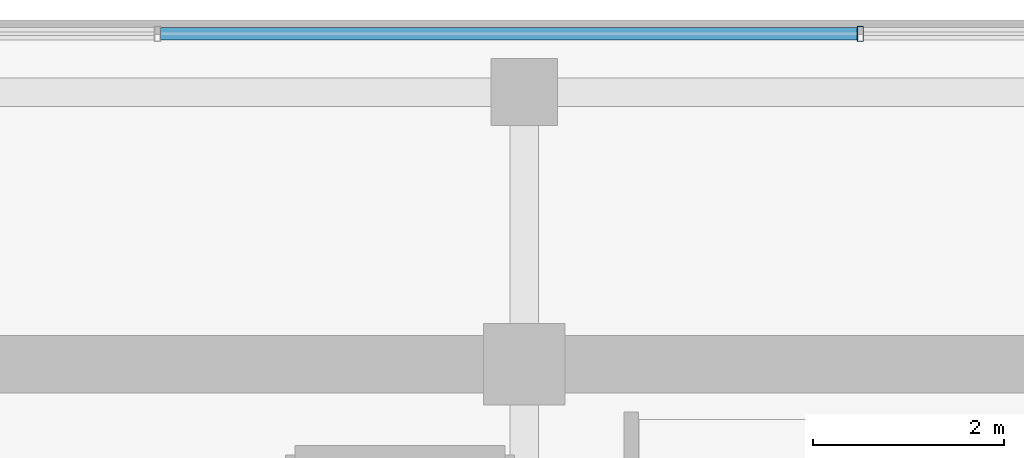
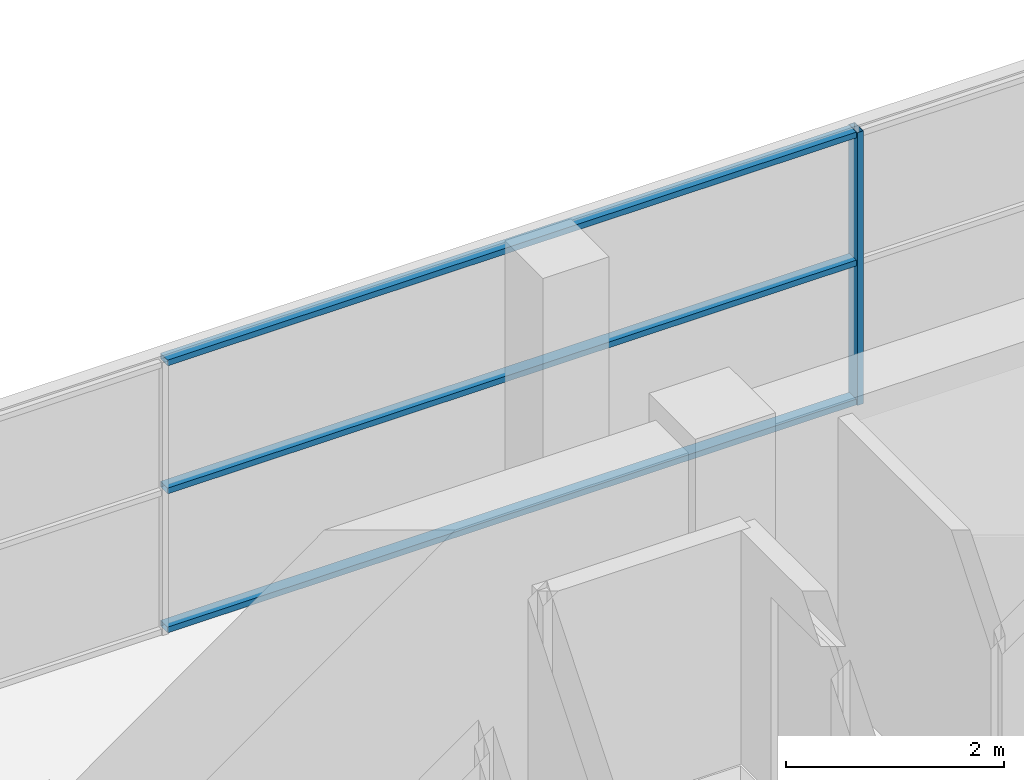
# One storey, part 18 of 29: 4 members, 1 element without a shape of its own.
"""IFC4 building model written with IfcOpenShell, lengths in metres."""

import ifcopenshell
import ifcopenshell.guid

model = None  # the IFC model being written
_history = None  # IfcOwnerHistory: only IFC2X3 demands one
_inside = {}  # id of a spatial element -> (the spatial element, [elements in it])
_under = {}  # id of a project, library or spatial element -> (it, [spatial elements below it])
_declared = {}  # id of a project -> (the project, [libraries it declares])
_typed = {}  # id of a type object -> (the type object, [elements of that type])
_made_of = {}  # id of a material, layer set ... -> (it, [elements and type objects made of it])


def new_model(schema):
    """Start an empty IFC model of exactly this schema.

    Asked for "IFC4X3", IfcOpenShell would pick the latest addendum, in which some entities
    have other attributes; the version numbers below select the first issue.
    IFC2X3 requires an IfcOwnerHistory on every rooted entity: one is made here for all.
    """
    global model, _history
    if schema == "IFC4X3":
        model = ifcopenshell.file(schema_version=(4, 3, 0, 0))
    else:
        model = ifcopenshell.file(schema=schema)
    _inside.clear()
    _under.clear()
    _declared.clear()
    _typed.clear()
    _made_of.clear()
    _history = None
    if model.schema == "IFC2X3":
        org = make("IfcOrganization", Name="unknown")
        user = make(
            "IfcPersonAndOrganization",
            ThePerson=make("IfcPerson", FamilyName="unknown"),
            TheOrganization=org,
        )
        app = make(
            "IfcApplication",
            ApplicationDeveloper=org,
            Version="unknown",
            ApplicationFullName="unknown",
            ApplicationIdentifier="unknown",
        )
        _history = make(
            "IfcOwnerHistory",
            OwningUser=user,
            OwningApplication=app,
            ChangeAction="ADDED",
            CreationDate=0,
        )
    return model


def make(cls, **values):
    """One entity of the class cls with the attributes given. An attribute that is None is left unset."""
    return model.create_entity(
        cls, **{name: value for name, value in values.items() if value is not None}
    )


def rooted(cls, **values):
    """An entity with a GlobalId (a new one), such as an element, a storey or a relation."""
    return make(cls, GlobalId=ifcopenshell.guid.new(), OwnerHistory=_history, **values)


def si_unit(unit_type, name, prefix=None):
    """IfcSIUnit, for example si_unit("LENGTHUNIT", "METRE", prefix="MILLI")."""
    return make("IfcSIUnit", UnitType=unit_type, Prefix=prefix, Name=name)


def assignment(units):
    """IfcUnitAssignment: the units of a project."""
    return None if units is None else make("IfcUnitAssignment", Units=units)


def point(xyz):
    """IfcCartesianPoint."""
    return None if xyz is None else make("IfcCartesianPoint", Coordinates=xyz)


def direction(xyz):
    """IfcDirection."""
    return None if xyz is None else make("IfcDirection", DirectionRatios=xyz)


def frame(location, z_axis=None, x_axis=None):
    """IfcAxis2Placement3D, a coordinate frame: its origin and axes. An axis left out is left unset."""
    return make(
        "IfcAxis2Placement3D",
        Location=point(location),
        Axis=direction(z_axis),
        RefDirection=direction(x_axis),
    )


def frame_2d(location, x_axis=None):
    """IfcAxis2Placement2D, a coordinate frame in the plane: its origin and x axis."""
    return make(
        "IfcAxis2Placement2D", Location=point(location), RefDirection=direction(x_axis)
    )


def origin():
    """The frame at (0, 0, 0) with its axes left unset."""
    return frame((0.0, 0.0, 0.0))


def origin_2d():
    """The frame at (0, 0) in the plane with its x axis left unset."""
    return frame_2d((0.0, 0.0))


def place(relative_to, where):
    """IfcLocalPlacement: puts the frame where relative to a parent placement (None: the world)."""
    return make(
        "IfcLocalPlacement", PlacementRelTo=relative_to, RelativePlacement=where
    )


def context(
    kind, dimensions, precision=None, world=None, true_north=None, identifier=None
):
    """IfcGeometricRepresentationContext, for example the 3D "Model" context."""
    return make(
        "IfcGeometricRepresentationContext",
        ContextIdentifier=identifier,
        ContextType=kind,
        CoordinateSpaceDimension=dimensions,
        Precision=precision,
        WorldCoordinateSystem=world,
        TrueNorth=true_north,
    )


def subcontext(parent, identifier, kind, view, scale=None):
    """IfcGeometricRepresentationSubContext, for example "Body" below "Model"."""
    return make(
        "IfcGeometricRepresentationSubContext",
        ContextIdentifier=identifier,
        ContextType=kind,
        ParentContext=parent,
        TargetScale=scale,
        TargetView=view,
    )


def project(units=None, contexts=None):
    """IfcProject with its units and contexts."""
    return rooted(
        "IfcProject",
        Name="project",
        RepresentationContexts=contexts,
        UnitsInContext=assignment(units),
    )


def spatial(cls, under=None, at=None, **own):
    """A site, building, storey or space (cls), placed at a placement, below another one or the project."""
    s = rooted(cls, ObjectPlacement=at, **own)
    if under is not None:
        _under.setdefault(under.id(), (under, []))[1].append(s)
    return s


def profile(cls, at=None, kind="AREA", **sizes):
    """A parametric profile (cls). Its sizes go by their IFC names, for example OverallWidth=200.0."""
    return make(cls, ProfileType=kind, Position=at, **sizes)


def hollow_rectangle(**sizes):
    """IfcRectangleHollowProfileDef."""
    return profile("IfcRectangleHollowProfileDef", **sizes)


def extrude(swept, where, along, depth):
    """IfcExtrudedAreaSolid: the profile swept, set in the frame where, extruded along a direction by depth."""
    return make(
        "IfcExtrudedAreaSolid",
        SweptArea=swept,
        Position=where,
        ExtrudedDirection=direction(along),
        Depth=depth,
    )


def shape(context_of_items, identifier, shape_type, items):
    """IfcShapeRepresentation: the items that make up one representation, for example the "Body"."""
    return make(
        "IfcShapeRepresentation",
        ContextOfItems=context_of_items,
        RepresentationIdentifier=identifier,
        RepresentationType=shape_type,
        Items=items,
    )


def source(mapping_origin, context_of_items, identifier, shape_type, items):
    """IfcRepresentationMap: a shape defined once, which mapped items show again and again."""
    return make(
        "IfcRepresentationMap",
        MappingOrigin=mapping_origin,
        MappedRepresentation=shape(context_of_items, identifier, shape_type, items),
    )


def transform(
    local_origin,
    x_axis=None,
    y_axis=None,
    z_axis=None,
    scale=None,
    scale2=None,
    scale3=None,
    uniform=True,
):
    """IfcCartesianTransformationOperator3D, or its non-uniform kind. x_axis, y_axis, z_axis: its Axis1, 2, 3."""
    if uniform:
        return make(
            "IfcCartesianTransformationOperator3D",
            Axis1=direction(x_axis),
            Axis2=direction(y_axis),
            LocalOrigin=point(local_origin),
            Scale=scale,
            Axis3=direction(z_axis),
        )
    return make(
        "IfcCartesianTransformationOperator3DnonUniform",
        Axis1=direction(x_axis),
        Axis2=direction(y_axis),
        LocalOrigin=point(local_origin),
        Scale=scale,
        Axis3=direction(z_axis),
        Scale2=scale2,
        Scale3=scale3,
    )


def mapped(mapping_source, mapping_target):
    """IfcMappedItem: shows the shape of a source again, moved by a transform."""
    return make(
        "IfcMappedItem", MappingSource=mapping_source, MappingTarget=mapping_target
    )


def material(Name=None, Category=None):
    """IfcMaterial."""
    return make("IfcMaterial", Name=Name, Category=Category)


def layer(
    of_material, thickness, ventilated=None, Name=None, Category=None, Priority=None
):
    """IfcMaterialLayer: one layer of a wall or slab, of a material (None: an air gap)."""
    return make(
        "IfcMaterialLayer",
        Material=of_material,
        LayerThickness=thickness,
        IsVentilated=ventilated,
        Name=Name,
        Category=Category,
        Priority=Priority,
    )


def layer_set(layers, Name=None):
    """IfcMaterialLayerSet."""
    return make("IfcMaterialLayerSet", MaterialLayers=layers, LayerSetName=Name)


def material_profile(
    of_material, cross_section, Name=None, Category=None, Priority=None
):
    """IfcMaterialProfile: a cross section and its material."""
    return make(
        "IfcMaterialProfile",
        Name=Name,
        Material=of_material,
        Profile=cross_section,
        Priority=Priority,
        Category=Category,
    )


def profile_set(profiles, Name=None, composite=None):
    """IfcMaterialProfileSet."""
    return make(
        "IfcMaterialProfileSet",
        Name=Name,
        MaterialProfiles=profiles,
        CompositeProfile=composite,
    )


def made_of(thing, what):
    """Note that an element or type object is made of a material, layer set ...; save() writes the relation."""
    if what is not None:
        _made_of.setdefault(what.id(), (what, []))[1].append(thing)
    return thing


def type_object(cls, material=None, **own):
    """A type object (cls), such as IfcWallType, which elements share."""
    return made_of(rooted(cls, **own), material)


def element(
    cls,
    number,
    at=None,
    inside=None,
    cuts=None,
    type_object=None,
    material=None,
    context=None,
    identifier="Body",
    shape_type=None,
    held_by="IfcProductDefinitionShape",
    body=None,
    shapes=None,
    **own,
):
    """One element of the class cls, such as IfcWall. Its Tag is "e" and its number.

    at: its placement. inside: the storey or other place that contains it. cuts: it is an
    opening in that element (IfcRelVoidsElement). A single representation is given by context,
    identifier, shape_type and body (its items); several are given by shapes. held_by: the class
    of the entity that holds the representations. save() writes the other relations.
    """
    e = rooted(cls, Tag="e%d" % number, ObjectPlacement=at, **own)
    if body is not None:
        shapes = [shape(context, identifier, shape_type, body)]
    if shapes is not None:
        e.Representation = make(held_by, Representations=shapes)
    if inside is not None:
        _inside.setdefault(inside.id(), (inside, []))[1].append(e)
    if cuts is not None:
        rooted(
            "IfcRelVoidsElement", RelatingBuildingElement=cuts, RelatedOpeningElement=e
        )
    if type_object is not None:
        _typed.setdefault(type_object.id(), (type_object, []))[1].append(e)
    return made_of(e, material)


def aggregate(whole, parts):
    """IfcRelAggregates: a whole, such as a stair, and the parts it consists of."""
    return rooted("IfcRelAggregates", RelatingObject=whole, RelatedObjects=parts)


def save(model, path):
    """Write the relations noted so far, then the file.

    IfcRelAggregates (storeys below a building ...), IfcRelContainedInSpatialStructure (elements
    in a storey), IfcRelDefinesByType, IfcRelAssociatesMaterial and IfcRelDeclares: one each for
    every whole, place, type object, material and project.
    """
    for whole, parts in _under.values():
        aggregate(whole, parts)
    for where, things in _inside.values():
        rooted(
            "IfcRelContainedInSpatialStructure",
            RelatedElements=things,
            RelatingStructure=where,
        )
    for kind, things in _typed.values():
        rooted("IfcRelDefinesByType", RelatedObjects=things, RelatingType=kind)
    for what, things in _made_of.values():
        rooted("IfcRelAssociatesMaterial", RelatedObjects=things, RelatingMaterial=what)
    for by, libraries in _declared.values():
        rooted("IfcRelDeclares", RelatingContext=by, RelatedDefinitions=libraries)
    model.write(path)


model = new_model("IFC4")

# Units and contexts
model_context = context("Model", 3, precision=1e-05, world=origin(), true_north=direction((0.0, 1.0)))
body_context = subcontext(model_context, "Body", "Model", "MODEL_VIEW")
ifc_project = project(units=[si_unit("LENGTHUNIT", "METRE"), si_unit("AREAUNIT", "SQUARE_METRE"), si_unit("VOLUMEUNIT", "CUBIC_METRE"), si_unit("PLANEANGLEUNIT", "RADIAN"), si_unit("MASSUNIT", "GRAM", prefix="KILO")], contexts=[model_context])

# Site, building, storey
site_placement = place(None, origin())
site = spatial("IfcSite", under=ifc_project, at=site_placement, CompositionType="ELEMENT")
building_placement = place(site_placement, origin())
building = spatial("IfcBuilding", under=site, at=building_placement, Name="Zarnakvel Exchange Tower", CompositionType="ELEMENT")
storey_placement = place(building_placement, frame((0.0, 0.0, 265.0)))
storey = spatial("IfcBuildingStorey", under=building, at=storey_placement, Name="L75", CompositionType="ELEMENT", Elevation=265.0)

# Curtain wall, members
ifc_material = material(Name="Architectural Bronze Anodised Aluminium", Category="aluminium")
ifc_layer = layer(ifc_material, 0.159912109375)
ifc_layer_set = layer_set([ifc_layer], Name="Architectural Bronze Anodised Aluminium")
curtain_wall_type = type_object("IfcCurtainWallType", Name="CW-06", PredefinedType="NOTDEFINED", material=ifc_layer_set)
curtain_wall_placement = place(storey_placement, origin())
curtain_wall = element("IfcCurtainWall", 1, at=curtain_wall_placement, inside=storey, type_object=curtain_wall_type, Name="L75 Curtain Wall CW-L75-N1 (CW-06)", PredefinedType="NOTDEFINED")
ifc_material_profile_1 = material_profile(ifc_material, hollow_rectangle(XDim=0.1298828125, YDim=0.06494140625, WallThickness=0.00390625, at=origin_2d()))
ifc_profile_set_1 = profile_set([ifc_material_profile_1], Name="Architectural Bronze Anodised Aluminium")
member_type_1 = type_object("IfcMemberType", Name="CWT-06", PredefinedType="USERDEFINED", material=ifc_profile_set_1)
shared_shape_1 = source(origin(), body_context, "Body", "SweptSolid", [
    extrude(hollow_rectangle(XDim=0.1298828125, YDim=0.06494140625, WallThickness=0.00390625, at=origin_2d()), origin(), (0.0, 0.0, 1.0), 7.295166015625),
])
member_1_placement = place(storey_placement, frame((-11.007568359375, 16.9599609375, 0.032470703125), z_axis=(1.0, 0.0, 0.0), x_axis=(0.0, 1.0, 0.0)))
member_1 = element("IfcMember", 2, at=member_1_placement, type_object=member_type_1, Name="CW-06 transom 2.1", ObjectType="TRANSOM", PredefinedType="USERDEFINED", context=body_context, shape_type="MappedRepresentation", body=[
    mapped(shared_shape_1, transform((0.0, 0.0, 0.0), x_axis=(1.0, 0.0, 0.0), y_axis=(0.0, 1.0, 0.0), z_axis=(0.0, 0.0, 1.0), scale=1.0)),
])
member_2_placement = place(storey_placement, frame((-11.007568359375, 16.9599609375, 1.588623046875), z_axis=(1.0, 0.0, 0.0), x_axis=(0.0, 1.0, 0.0)))
member_2 = element("IfcMember", 3, at=member_2_placement, type_object=member_type_1, Name="CW-06 transom 2.2", ObjectType="TRANSOM", PredefinedType="USERDEFINED", context=body_context, shape_type="MappedRepresentation", body=[
    mapped(shared_shape_1, transform((0.0, 0.0, 0.0), x_axis=(1.0, 0.0, 0.0), y_axis=(0.0, 1.0, 0.0), z_axis=(0.0, 0.0, 1.0), scale=1.0)),
])
member_3_placement = place(storey_placement, frame((-11.007568359375, 16.9599609375, 3.0224609375), z_axis=(1.0, 0.0, 0.0), x_axis=(0.0, 1.0, 0.0)))
member_3 = element("IfcMember", 4, at=member_3_placement, type_object=member_type_1, Name="CW-06 transom 2.3", ObjectType="TRANSOM", PredefinedType="USERDEFINED", context=body_context, shape_type="MappedRepresentation", body=[
    mapped(shared_shape_1, transform((0.0, 0.0, 0.0), x_axis=(1.0, 0.0, 0.0), y_axis=(0.0, 1.0, 0.0), z_axis=(0.0, 0.0, 1.0), scale=1.0)),
])
ifc_material_profile_2 = material_profile(ifc_material, hollow_rectangle(XDim=0.159912109375, YDim=0.06494140625, WallThickness=0.00390625, at=origin_2d()))
ifc_profile_set_2 = profile_set([ifc_material_profile_2], Name="Architectural Bronze Anodised Aluminium")
member_type_2 = type_object("IfcMemberType", Name="CWM-06", PredefinedType="MULLION", material=ifc_profile_set_2)
shared_shape_2 = source(origin(), body_context, "Body", "SweptSolid", [
    extrude(hollow_rectangle(XDim=0.159912109375, YDim=0.06494140625, WallThickness=0.00390625, at=origin_2d()), origin(), (0.0, 0.0, 1.0), 3.054931640625),
])
member_4_placement = place(storey_placement, frame((-3.679931640625, 16.9599609375, 0.0), z_axis=(0.0, 0.0, 1.0), x_axis=(0.0, 1.0, 0.0)))
member_4 = element("IfcMember", 5, at=member_4_placement, type_object=member_type_2, Name="CW-06 mullion 3", PredefinedType="MULLION", context=body_context, shape_type="MappedRepresentation", body=[
    mapped(shared_shape_2, transform((0.0, 0.0, 0.0), x_axis=(1.0, 0.0, 0.0), y_axis=(0.0, 1.0, 0.0), z_axis=(0.0, 0.0, 1.0), scale=1.0)),
])
aggregate(curtain_wall, [member_4, member_1, member_2, member_3])

save(model, "model.ifc")
